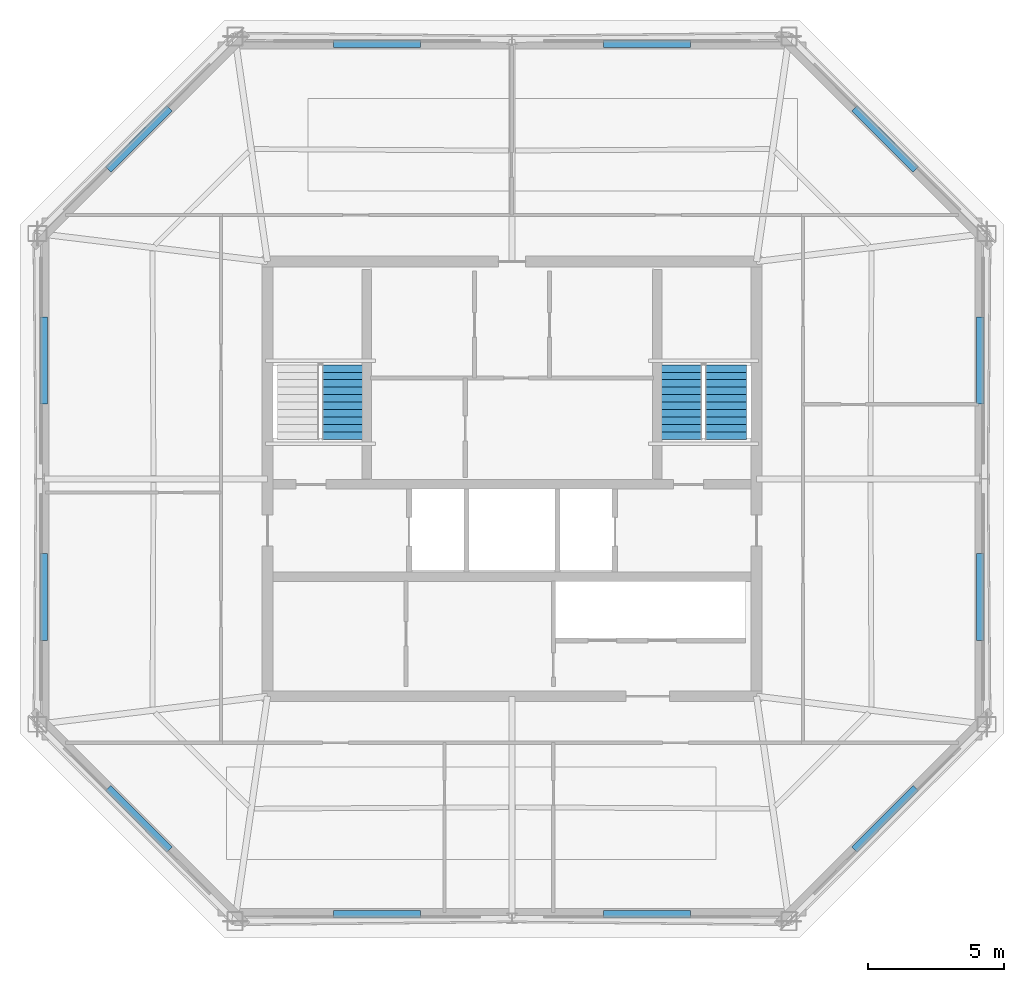
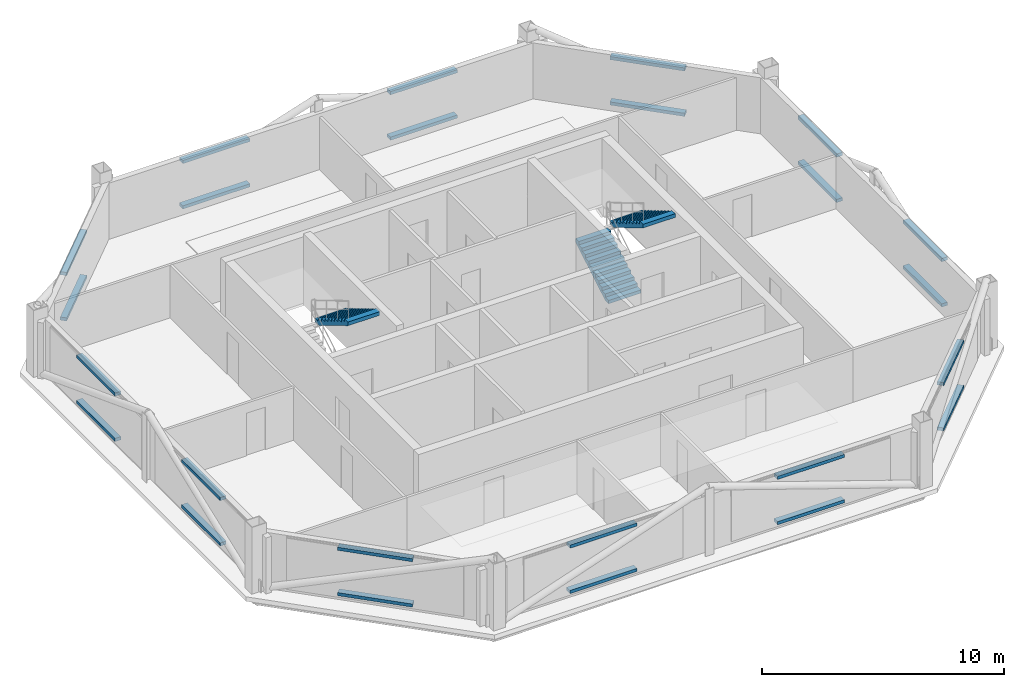
# One storey, part 4 of 5: 24 discrete accessories, 3 stair flights, 2 elements without a shape of their own.
"""IFC4 building model written with IfcOpenShell, lengths in metres."""

from ifc_helpers import new_model, si_unit, direction, frame, origin, origin_2d, place, context, subcontext, project, spatial, polyline, rectangle, outline, extrude, material, type_object, element, aggregate, save


model = new_model("IFC4")

# Units and contexts
model_context = context("Model", 3, precision=1e-05, world=origin(), true_north=direction((0.0, 1.0)))
body_context = subcontext(model_context, "Body", "Model", "MODEL_VIEW")
ifc_project = project(units=[si_unit("LENGTHUNIT", "METRE"), si_unit("AREAUNIT", "SQUARE_METRE"), si_unit("VOLUMEUNIT", "CUBIC_METRE"), si_unit("PLANEANGLEUNIT", "RADIAN"), si_unit("MASSUNIT", "GRAM", prefix="KILO")], contexts=[model_context])

# Site, building, storey
site_placement = place(None, origin())
site = spatial("IfcSite", under=ifc_project, at=site_placement, CompositionType="ELEMENT")
building_placement = place(site_placement, origin())
building = spatial("IfcBuilding", under=site, at=building_placement, Name="Caelvoria Tower", CompositionType="ELEMENT")
storey_placement = place(building_placement, frame((0.0, 0.0, 271.800048828125)))
storey = spatial("IfcBuildingStorey", under=building, at=storey_placement, Name="L72", CompositionType="ELEMENT", Elevation=271.800048828125)

# Stair, stair flight
ifc_material_1 = material(Name="Concrete C40/50", Category="concrete")
stair_type = type_object("IfcStairType", Name="Core Smokeproof Dogleg Stair Concrete C40/50", PredefinedType="HALF_TURN_STAIR", material=ifc_material_1)
stair_1_placement = place(storey_placement, origin())
stair_1 = element("IfcStair", 1, at=stair_1_placement, inside=storey, type_object=stair_type, Name="ST-01 Smokeproof Exit Stair L72", PredefinedType="HALF_TURN_STAIR")
ifc_material_2 = material(Name="Precast Concrete C40/50", Category="concrete")
stair_flight_type = type_object("IfcStairFlightType", Name="Precast Concrete C40/50 Stair Flight 1480", PredefinedType="STRAIGHT", material=ifc_material_2)
stair_flight_1_placement = place(storey_placement, frame((39.77001953125, 36.199951171875, 1.800048828125), z_axis=(0.0, 0.0, 1.0), x_axis=(0.0, -1.0, 0.0)))
stair_flight_1 = element("IfcStairFlight", 2, at=stair_flight_1_placement, type_object=stair_flight_type, Name="ST-01 flight 2", NumberOfRisers=11, NumberOfTreads=10, PredefinedType="STRAIGHT", RiserHeight=0.1636, TreadLength=0.275, context=body_context, shape_type="SweptSolid", body=[
    extrude(outline(polyline([(0.0, 0.0), (0.0, 0.16357421875), (0.27490234375, 0.16357421875), (0.27490234375, 0.3271484375), (0.550048828125, 0.3271484375), (0.550048828125, 0.49072265625), (0.824951171875, 0.49072265625), (0.824951171875, 0.654296875), (1.10009765625, 0.654296875), (1.10009765625, 0.818115234375), (1.375, 0.818115234375), (1.375, 0.981689453125), (1.64990234375, 0.981689453125), (1.64990234375, 1.145263671875), (1.925048828125, 1.145263671875), (1.925048828125, 1.308837890625), (2.199951171875, 1.308837890625), (2.199951171875, 1.472412109375), (2.47509765625, 1.472412109375), (2.47509765625, 1.635986328125), (2.75, 1.635986328125), (2.75, 1.799560546875), (2.75, 1.449951171875), (0.312744140625, 0.0), (0.0, 0.0)])), frame((0.0, 0.77001953125, 0.0), z_axis=(0.0, -1.0, 0.0), x_axis=(1.0, 0.0, 0.0)), (0.0, 0.0, 1.0), 1.5400390625),
])
aggregate(stair_1, [stair_flight_1])

# Stair, stair flights
stair_2_placement = place(storey_placement, origin())
stair_2 = element("IfcStair", 3, at=stair_2_placement, inside=storey, type_object=stair_type, Name="ST-02 Smokeproof Exit Stair L72", PredefinedType="HALF_TURN_STAIR")
stair_flight_2_placement = place(storey_placement, frame((52.22998046875, 33.449951171875, 0.0), z_axis=(0.0, 0.0, 1.0), x_axis=(0.0, 1.0, 0.0)))
stair_flight_2 = element("IfcStairFlight", 4, at=stair_flight_2_placement, type_object=stair_flight_type, Name="ST-02 flight 1", NumberOfRisers=11, NumberOfTreads=10, PredefinedType="STRAIGHT", RiserHeight=0.1636, TreadLength=0.275, context=body_context, shape_type="SweptSolid", body=[
    extrude(outline(polyline([(0.0, 0.0), (0.0, 0.16357421875), (0.27490234375, 0.16357421875), (0.27490234375, 0.3271484375), (0.550048828125, 0.3271484375), (0.550048828125, 0.49072265625), (0.824951171875, 0.49072265625), (0.824951171875, 0.654296875), (1.10009765625, 0.654296875), (1.10009765625, 0.818115234375), (1.375, 0.818115234375), (1.375, 0.981689453125), (1.64990234375, 0.981689453125), (1.64990234375, 1.145263671875), (1.925048828125, 1.145263671875), (1.925048828125, 1.308837890625), (2.199951171875, 1.308837890625), (2.199951171875, 1.472412109375), (2.47509765625, 1.472412109375), (2.47509765625, 1.635986328125), (2.75, 1.635986328125), (2.75, 1.799560546875), (2.75, 1.449951171875), (0.312744140625, 0.0), (0.0, 0.0)])), frame((0.0, 0.77001953125, 0.0), z_axis=(0.0, -1.0, 0.0), x_axis=(1.0, 0.0, 0.0)), (0.0, 0.0, 1.0), 1.5400390625),
])
stair_flight_3_placement = place(storey_placement, frame((53.8701171875, 36.199951171875, 1.800048828125), z_axis=(0.0, 0.0, 1.0), x_axis=(0.0, -1.0, 0.0)))
stair_flight_3 = element("IfcStairFlight", 5, at=stair_flight_3_placement, type_object=stair_flight_type, Name="ST-02 flight 2", NumberOfRisers=11, NumberOfTreads=10, PredefinedType="STRAIGHT", RiserHeight=0.1636, TreadLength=0.275, context=body_context, shape_type="SweptSolid", body=[
    extrude(outline(polyline([(0.0, 0.0), (0.0, 0.16357421875), (0.27490234375, 0.16357421875), (0.27490234375, 0.3271484375), (0.550048828125, 0.3271484375), (0.550048828125, 0.49072265625), (0.824951171875, 0.49072265625), (0.824951171875, 0.654296875), (1.10009765625, 0.654296875), (1.10009765625, 0.818115234375), (1.375, 0.818115234375), (1.375, 0.981689453125), (1.64990234375, 0.981689453125), (1.64990234375, 1.145263671875), (1.925048828125, 1.145263671875), (1.925048828125, 1.308837890625), (2.199951171875, 1.308837890625), (2.199951171875, 1.472412109375), (2.47509765625, 1.472412109375), (2.47509765625, 1.635986328125), (2.75, 1.635986328125), (2.75, 1.799560546875), (2.75, 1.449951171875), (0.312744140625, 0.0), (0.0, 0.0)])), frame((0.0, 0.77001953125, 0.0), z_axis=(0.0, -1.0, 0.0), x_axis=(1.0, 0.0, 0.0)), (0.0, 0.0, 1.0), 1.5400390625),
])
aggregate(stair_2, [stair_flight_2, stair_flight_3])

# Discrete accessories
ifc_material_3 = material(Name="Anodised Bronze Stainless Bracket", Category="bronze")
discrete_accessory_type = type_object("IfcDiscreteAccessoryType", Name="Solar Screen Outrigger Support Bracket", PredefinedType="BRACKET", material=ifc_material_3)
for number, where, z_axis, x_axis, name in (
    (6, (41.0390625, 15.976318359375, 0.240234375), (0.0, 0.0, 1.0), (1.0, 0.0, 0.0), "Solar Screen Bracket L72-E0-00"),
    (7, (41.0390625, 15.976318359375, 2.5322265625), (0.0, 0.0, 1.0), (1.0, 0.0, 0.0), "Upper Screen Band Bracket L72-E0-00"),
    (8, (50.9609375, 15.976318359375, 0.240234375), (0.0, 0.0, 1.0), (1.0, 0.0, 0.0), "Solar Screen Bracket L72-E0-01"),
    (9, (50.9609375, 15.976318359375, 2.5322265625), (0.0, 0.0, 1.0), (1.0, 0.0, 0.0), "Upper Screen Band Bracket L72-E0-01"),
    (10, (59.732421875, 19.48583984375, 0.240234375), (0.0, 0.0, 1.0), (0.707106781187, 0.707106781187, 0.0), "Solar Screen Bracket L72-E1-00"),
    (11, (59.732421875, 19.48583984375, 2.5322265625), (0.0, 0.0, 1.0), (0.707106781187, 0.707106781187, 0.0), "Upper Screen Band Bracket L72-E1-00"),
    (12, (63.241943359375, 27.648193359375, 0.240234375), (0.0, 0.0, 1.0), (0.0, 1.0, 0.0), "Solar Screen Bracket L72-E2-00"),
    (13, (63.241943359375, 27.648193359375, 2.5322265625), (0.0, 0.0, 1.0), (0.0, 1.0, 0.0), "Upper Screen Band Bracket L72-E2-00"),
    (14, (63.241943359375, 36.351806640625, 0.240234375), (0.0, 0.0, 1.0), (0.0, 1.0, 0.0), "Solar Screen Bracket L72-E2-01"),
    (15, (63.241943359375, 36.351806640625, 2.5322265625), (0.0, 0.0, 1.0), (0.0, 1.0, 0.0), "Upper Screen Band Bracket L72-E2-01"),
    (16, (59.732421875, 44.51416015625, 0.240234375), (0.0, 0.0, 1.0), (-0.707106781187, 0.707106781187, 0.0), "Solar Screen Bracket L72-E3-00"),
    (17, (59.732421875, 44.51416015625, 2.5322265625), (0.0, 0.0, 1.0), (-0.707106781187, 0.707106781187, 0.0), "Upper Screen Band Bracket L72-E3-00"),
    (18, (50.9609375, 48.023681640625, 0.240234375), (0.0, 0.0, 1.0), (-1.0, 0.0, 0.0), "Solar Screen Bracket L72-E4-00"),
    (19, (50.9609375, 48.023681640625, 2.5322265625), (0.0, 0.0, 1.0), (-1.0, 0.0, 0.0), "Upper Screen Band Bracket L72-E4-00"),
    (20, (41.0390625, 48.023681640625, 0.240234375), (0.0, 0.0, 1.0), (-1.0, 0.0, 0.0), "Solar Screen Bracket L72-E4-01"),
    (21, (41.0390625, 48.023681640625, 2.5322265625), (0.0, 0.0, 1.0), (-1.0, 0.0, 0.0), "Upper Screen Band Bracket L72-E4-01"),
    (22, (32.267578125, 44.51416015625, 0.240234375), (0.0, 0.0, 1.0), (-0.707106781187, -0.707106781187, 0.0), "Solar Screen Bracket L72-E5-00"),
    (23, (32.267578125, 44.51416015625, 2.5322265625), (0.0, 0.0, 1.0), (-0.707106781187, -0.707106781187, 0.0), "Upper Screen Band Bracket L72-E5-00"),
    (24, (28.758056640625, 36.351806640625, 0.240234375), (0.0, 0.0, 1.0), (0.0, -1.0, 0.0), "Solar Screen Bracket L72-E6-00"),
    (25, (28.758056640625, 36.351806640625, 2.5322265625), (0.0, 0.0, 1.0), (0.0, -1.0, 0.0), "Upper Screen Band Bracket L72-E6-00"),
    (26, (28.758056640625, 27.648193359375, 0.240234375), (0.0, 0.0, 1.0), (0.0, -1.0, 0.0), "Solar Screen Bracket L72-E6-01"),
    (27, (28.758056640625, 27.648193359375, 2.5322265625), (0.0, 0.0, 1.0), (0.0, -1.0, 0.0), "Upper Screen Band Bracket L72-E6-01"),
    (28, (32.267578125, 19.48583984375, 0.240234375), (0.0, 0.0, 1.0), (0.707106781187, -0.707106781187, 0.0), "Solar Screen Bracket L72-E7-00"),
    (29, (32.267578125, 19.48583984375, 2.5322265625), (0.0, 0.0, 1.0), (0.707106781187, -0.707106781187, 0.0), "Upper Screen Band Bracket L72-E7-00"),
):
    element("IfcDiscreteAccessory", number, at=place(storey_placement, frame(where, z_axis=z_axis, x_axis=x_axis)), inside=storey, type_object=discrete_accessory_type, Name=name, PredefinedType="BRACKET", context=body_context, shape_type="SweptSolid", body=[
        extrude(rectangle(XDim=3.199951171875, YDim=0.280029296875, at=origin_2d()), origin(), (0.0, 0.0, 1.0), 0.159912109375),
    ])

save(model, "model.ifc")
